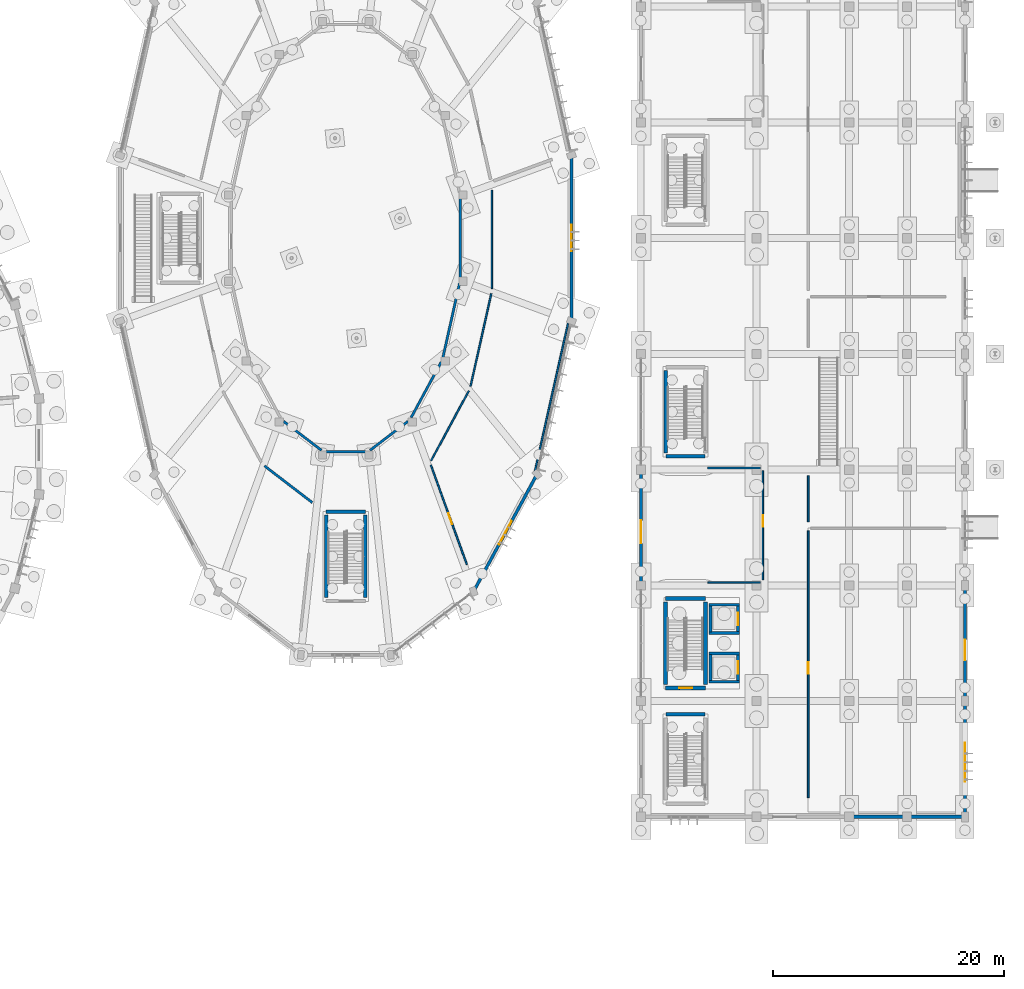
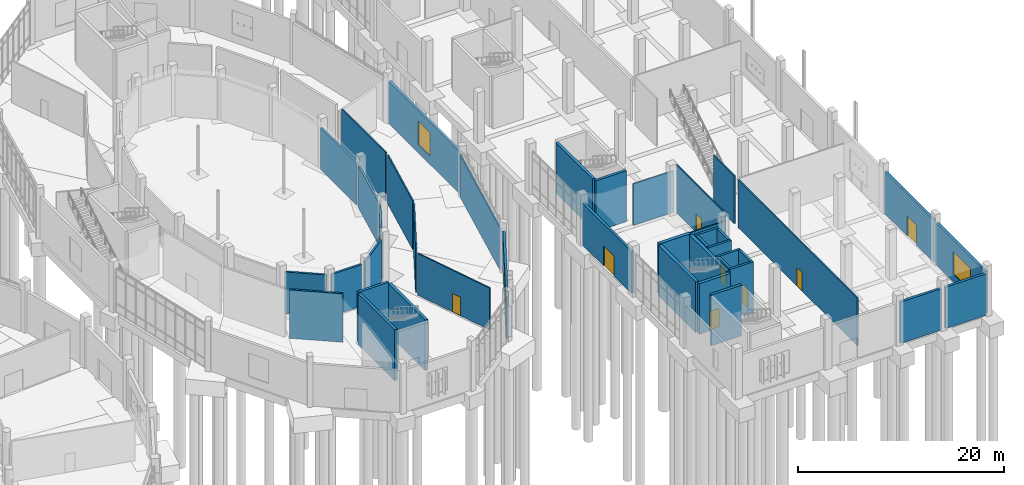
# One storey, part 88 of 140: 42 walls, 8 doors, 3 windows, 11 openings.
"""IFC4 building model written with IfcOpenShell, lengths in metres."""

import ifcopenshell
import ifcopenshell.guid

model = None  # the IFC model being written
_history = None  # IfcOwnerHistory: only IFC2X3 demands one
_inside = {}  # id of a spatial element -> (the spatial element, [elements in it])
_under = {}  # id of a project, library or spatial element -> (it, [spatial elements below it])
_declared = {}  # id of a project -> (the project, [libraries it declares])
_typed = {}  # id of a type object -> (the type object, [elements of that type])
_made_of = {}  # id of a material, layer set ... -> (it, [elements and type objects made of it])


def new_model(schema):
    """Start an empty IFC model of exactly this schema.

    Asked for "IFC4X3", IfcOpenShell would pick the latest addendum, in which some entities
    have other attributes; the version numbers below select the first issue.
    IFC2X3 requires an IfcOwnerHistory on every rooted entity: one is made here for all.
    """
    global model, _history
    if schema == "IFC4X3":
        model = ifcopenshell.file(schema_version=(4, 3, 0, 0))
    else:
        model = ifcopenshell.file(schema=schema)
    _inside.clear()
    _under.clear()
    _declared.clear()
    _typed.clear()
    _made_of.clear()
    _history = None
    if model.schema == "IFC2X3":
        org = make("IfcOrganization", Name="unknown")
        user = make(
            "IfcPersonAndOrganization",
            ThePerson=make("IfcPerson", FamilyName="unknown"),
            TheOrganization=org,
        )
        app = make(
            "IfcApplication",
            ApplicationDeveloper=org,
            Version="unknown",
            ApplicationFullName="unknown",
            ApplicationIdentifier="unknown",
        )
        _history = make(
            "IfcOwnerHistory",
            OwningUser=user,
            OwningApplication=app,
            ChangeAction="ADDED",
            CreationDate=0,
        )
    return model


def make(cls, **values):
    """One entity of the class cls with the attributes given. An attribute that is None is left unset."""
    return model.create_entity(
        cls, **{name: value for name, value in values.items() if value is not None}
    )


def rooted(cls, **values):
    """An entity with a GlobalId (a new one), such as an element, a storey or a relation."""
    return make(cls, GlobalId=ifcopenshell.guid.new(), OwnerHistory=_history, **values)


def si_unit(unit_type, name, prefix=None):
    """IfcSIUnit, for example si_unit("LENGTHUNIT", "METRE", prefix="MILLI")."""
    return make("IfcSIUnit", UnitType=unit_type, Prefix=prefix, Name=name)


def assignment(units):
    """IfcUnitAssignment: the units of a project."""
    return None if units is None else make("IfcUnitAssignment", Units=units)


def point(xyz):
    """IfcCartesianPoint."""
    return None if xyz is None else make("IfcCartesianPoint", Coordinates=xyz)


def direction(xyz):
    """IfcDirection."""
    return None if xyz is None else make("IfcDirection", DirectionRatios=xyz)


def frame(location, z_axis=None, x_axis=None):
    """IfcAxis2Placement3D, a coordinate frame: its origin and axes. An axis left out is left unset."""
    return make(
        "IfcAxis2Placement3D",
        Location=point(location),
        Axis=direction(z_axis),
        RefDirection=direction(x_axis),
    )


def frame_2d(location, x_axis=None):
    """IfcAxis2Placement2D, a coordinate frame in the plane: its origin and x axis."""
    return make(
        "IfcAxis2Placement2D", Location=point(location), RefDirection=direction(x_axis)
    )


def origin():
    """The frame at (0, 0, 0) with its axes left unset."""
    return frame((0.0, 0.0, 0.0))


def place(relative_to, where):
    """IfcLocalPlacement: puts the frame where relative to a parent placement (None: the world)."""
    return make(
        "IfcLocalPlacement", PlacementRelTo=relative_to, RelativePlacement=where
    )


def context(
    kind, dimensions, precision=None, world=None, true_north=None, identifier=None
):
    """IfcGeometricRepresentationContext, for example the 3D "Model" context."""
    return make(
        "IfcGeometricRepresentationContext",
        ContextIdentifier=identifier,
        ContextType=kind,
        CoordinateSpaceDimension=dimensions,
        Precision=precision,
        WorldCoordinateSystem=world,
        TrueNorth=true_north,
    )


def subcontext(parent, identifier, kind, view, scale=None):
    """IfcGeometricRepresentationSubContext, for example "Body" below "Model"."""
    return make(
        "IfcGeometricRepresentationSubContext",
        ContextIdentifier=identifier,
        ContextType=kind,
        ParentContext=parent,
        TargetScale=scale,
        TargetView=view,
    )


def project(units=None, contexts=None):
    """IfcProject with its units and contexts."""
    return rooted(
        "IfcProject",
        Name="project",
        RepresentationContexts=contexts,
        UnitsInContext=assignment(units),
    )


def spatial(cls, under=None, at=None, **own):
    """A site, building, storey or space (cls), placed at a placement, below another one or the project."""
    s = rooted(cls, ObjectPlacement=at, **own)
    if under is not None:
        _under.setdefault(under.id(), (under, []))[1].append(s)
    return s


def profile(cls, at=None, kind="AREA", **sizes):
    """A parametric profile (cls). Its sizes go by their IFC names, for example OverallWidth=200.0."""
    return make(cls, ProfileType=kind, Position=at, **sizes)


def rectangle(**sizes):
    """IfcRectangleProfileDef."""
    return profile("IfcRectangleProfileDef", **sizes)


def extrude(swept, where, along, depth):
    """IfcExtrudedAreaSolid: the profile swept, set in the frame where, extruded along a direction by depth."""
    return make(
        "IfcExtrudedAreaSolid",
        SweptArea=swept,
        Position=where,
        ExtrudedDirection=direction(along),
        Depth=depth,
    )


def shape(context_of_items, identifier, shape_type, items):
    """IfcShapeRepresentation: the items that make up one representation, for example the "Body"."""
    return make(
        "IfcShapeRepresentation",
        ContextOfItems=context_of_items,
        RepresentationIdentifier=identifier,
        RepresentationType=shape_type,
        Items=items,
    )


def material(Name=None, Category=None):
    """IfcMaterial."""
    return make("IfcMaterial", Name=Name, Category=Category)


def layer(
    of_material, thickness, ventilated=None, Name=None, Category=None, Priority=None
):
    """IfcMaterialLayer: one layer of a wall or slab, of a material (None: an air gap)."""
    return make(
        "IfcMaterialLayer",
        Material=of_material,
        LayerThickness=thickness,
        IsVentilated=ventilated,
        Name=Name,
        Category=Category,
        Priority=Priority,
    )


def layer_set(layers, Name=None):
    """IfcMaterialLayerSet."""
    return make("IfcMaterialLayerSet", MaterialLayers=layers, LayerSetName=Name)


def made_of(thing, what):
    """Note that an element or type object is made of a material, layer set ...; save() writes the relation."""
    if what is not None:
        _made_of.setdefault(what.id(), (what, []))[1].append(thing)
    return thing


def type_object(cls, material=None, **own):
    """A type object (cls), such as IfcWallType, which elements share."""
    return made_of(rooted(cls, **own), material)


def element(
    cls,
    number,
    at=None,
    inside=None,
    cuts=None,
    type_object=None,
    material=None,
    context=None,
    identifier="Body",
    shape_type=None,
    held_by="IfcProductDefinitionShape",
    body=None,
    shapes=None,
    **own,
):
    """One element of the class cls, such as IfcWall. Its Tag is "e" and its number.

    at: its placement. inside: the storey or other place that contains it. cuts: it is an
    opening in that element (IfcRelVoidsElement). A single representation is given by context,
    identifier, shape_type and body (its items); several are given by shapes. held_by: the class
    of the entity that holds the representations. save() writes the other relations.
    """
    e = rooted(cls, Tag="e%d" % number, ObjectPlacement=at, **own)
    if body is not None:
        shapes = [shape(context, identifier, shape_type, body)]
    if shapes is not None:
        e.Representation = make(held_by, Representations=shapes)
    if inside is not None:
        _inside.setdefault(inside.id(), (inside, []))[1].append(e)
    if cuts is not None:
        rooted(
            "IfcRelVoidsElement", RelatingBuildingElement=cuts, RelatedOpeningElement=e
        )
    if type_object is not None:
        _typed.setdefault(type_object.id(), (type_object, []))[1].append(e)
    return made_of(e, material)


def fill(opening, filler):
    """IfcRelFillsElement: the door or window that sits in an opening."""
    return rooted(
        "IfcRelFillsElement",
        RelatingOpeningElement=opening,
        RelatedBuildingElement=filler,
    )


def aggregate(whole, parts):
    """IfcRelAggregates: a whole, such as a stair, and the parts it consists of."""
    return rooted("IfcRelAggregates", RelatingObject=whole, RelatedObjects=parts)


def save(model, path):
    """Write the relations noted so far, then the file.

    IfcRelAggregates (storeys below a building ...), IfcRelContainedInSpatialStructure (elements
    in a storey), IfcRelDefinesByType, IfcRelAssociatesMaterial and IfcRelDeclares: one each for
    every whole, place, type object, material and project.
    """
    for whole, parts in _under.values():
        aggregate(whole, parts)
    for where, things in _inside.values():
        rooted(
            "IfcRelContainedInSpatialStructure",
            RelatedElements=things,
            RelatingStructure=where,
        )
    for kind, things in _typed.values():
        rooted("IfcRelDefinesByType", RelatedObjects=things, RelatingType=kind)
    for what, things in _made_of.values():
        rooted("IfcRelAssociatesMaterial", RelatedObjects=things, RelatingMaterial=what)
    for by, libraries in _declared.values():
        rooted("IfcRelDeclares", RelatingContext=by, RelatedDefinitions=libraries)
    model.write(path)


model = new_model("IFC4")

# Units and contexts
model_context = context("Model", 3, precision=1e-05, world=origin(), true_north=direction((0.0, 1.0)))
body_context = subcontext(model_context, "Body", "Model", "MODEL_VIEW")
ifc_project = project(units=[si_unit("LENGTHUNIT", "METRE"), si_unit("AREAUNIT", "SQUARE_METRE"), si_unit("VOLUMEUNIT", "CUBIC_METRE"), si_unit("PLANEANGLEUNIT", "RADIAN"), si_unit("MASSUNIT", "GRAM", prefix="KILO")], contexts=[model_context])

# Site, building, storey
site_placement = place(None, origin())
site = spatial("IfcSite", under=ifc_project, at=site_placement, CompositionType="ELEMENT")
building_placement = place(site_placement, origin())
building = spatial("IfcBuilding", under=site, at=building_placement, Name="Corvandel Quay Wholesale Market", CompositionType="ELEMENT")
storey_placement = place(building_placement, origin())
storey = spatial("IfcBuildingStorey", under=building, at=storey_placement, Name="L00", CompositionType="ELEMENT", Elevation=0.0)

# Wall, opening, window
ifc_material_1 = material(Name="Buff-pigmented precast concrete C45/55", Category="concrete")
ifc_layer_1 = layer(ifc_material_1, 0.280029296875)
ifc_layer_set_1 = layer_set([ifc_layer_1], Name="Buff-pigmented precast concrete C45/55")
wall_type_1 = type_object("IfcWallType", Name="Colonnade Spandrel Precast Wall EW07 280", PredefinedType="SOLIDWALL", material=ifc_layer_set_1)
wall_1_placement = place(storey_placement, frame((248.0, 10.219970703125, 0.0), z_axis=(0.0, 0.0, 1.0), x_axis=(0.0, 1.0, 0.0)))
wall_1 = element("IfcWall", 1, at=wall_1_placement, inside=storey, type_object=wall_type_1, Name="Exterior Wall EW-0330", PredefinedType="SOLIDWALL", context=body_context, shape_type="SweptSolid", body=[
    extrude(rectangle(XDim=9.56005859375, YDim=0.280029296875, at=frame_2d((4.780029296875, 0.0))), origin(), (0.0, 0.0, 1.0), 4.9599609375),
])
opening_1_placement = place(wall_1_placement, frame((2.800048828125, 0.0, 0.89990234375)))
opening_1 = element("IfcOpeningElement", 2, at=opening_1_placement, cuts=wall_1, Name="Opening L00-W075", PredefinedType="OPENING", context=body_context, shape_type="SweptSolid", body=[
    extrude(rectangle(XDim=3.39990234375, YDim=2.699951171875, at=frame_2d((1.699951171875, 1.35009765625))), frame((0.0, 0.14990234375, 0.0), z_axis=(0.0, -1.0, 0.0), x_axis=(1.0, 0.0, 0.0)), (0.0, 0.0, 1.0), 0.300048828125),
])
ifc_material_2 = material(Name="Thermally broken bronze anodised aluminium and solar-control low-E double glazing", Category="aluminium")
window_type_1 = type_object("IfcWindowType", Name="Waterfront Cafe Picture Window WN17 3400x2700", PartitioningType="SINGLE_PANEL", PredefinedType="WINDOW", material=ifc_material_2)
window_1_placement = place(opening_1_placement, origin())
window_1 = element("IfcWindow", 3, at=window_1_placement, inside=storey, type_object=window_type_1, Name="Window L00-W075", OverallHeight=2.699951171875, OverallWidth=3.39990234375, PartitioningType="SINGLE_PANEL", PredefinedType="WINDOW", context=body_context, shape_type="SweptSolid", body=[
    extrude(rectangle(XDim=3.39990234375, YDim=2.699951171875, at=frame_2d((1.699951171875, 1.35009765625))), frame((0.0, 0.030029296875, 0.0), z_axis=(0.0, -1.0, 0.0), x_axis=(1.0, 0.0, 0.0)), (0.0, 0.0, 1.0), 0.06005859375),
])
fill(opening_1, window_1)

# Wall, opening, door
wall_2_placement = place(storey_placement, frame((248.0, 20.219970703125, 0.0), z_axis=(0.0, 0.0, 1.0), x_axis=(0.0, 1.0, 0.0)))
wall_2 = element("IfcWall", 4, at=wall_2_placement, inside=storey, type_object=wall_type_1, Name="Exterior Wall EW-0332", PredefinedType="SOLIDWALL", context=body_context, shape_type="SweptSolid", body=[
    extrude(rectangle(XDim=9.56005859375, YDim=0.280029296875, at=frame_2d((4.780029296875, 0.0))), origin(), (0.0, 0.0, 1.0), 4.9599609375),
])
opening_2_placement = place(wall_2_placement, frame((3.300048828125, 0.0, 0.0)))
opening_2 = element("IfcOpeningElement", 5, at=opening_2_placement, cuts=wall_2, Name="Opening L00-D050", PredefinedType="OPENING", context=body_context, shape_type="SweptSolid", body=[
    extrude(rectangle(XDim=1.800048828125, YDim=2.39990234375, at=frame_2d((0.89990234375, 1.199951171875))), frame((0.0, 0.14990234375, 0.0), z_axis=(0.0, -1.0, 0.0), x_axis=(1.0, 0.0, 0.0)), (0.0, 0.0, 1.0), 0.300048828125),
])
ifc_material_3 = material(Name="Bronze anodised aluminium and tempered glass", Category="aluminium")
door_type_1 = type_object("IfcDoorType", Name="Promenade Cafe Double Door ED03 1800x2400", OperationType="DOUBLE_DOOR_SINGLE_SWING", PredefinedType="DOOR", material=ifc_material_3)
door_1_placement = place(opening_2_placement, origin())
door_1 = element("IfcDoor", 6, at=door_1_placement, inside=storey, type_object=door_type_1, Name="Promenade Entrance 20", OperationType="DOUBLE_DOOR_SINGLE_SWING", OverallHeight=2.39990234375, OverallWidth=1.800048828125, PredefinedType="DOOR", context=body_context, shape_type="SweptSolid", body=[
    extrude(rectangle(XDim=1.800048828125, YDim=2.39990234375, at=frame_2d((0.89990234375, 1.199951171875))), frame((0.0, 0.02490234375, 0.0), z_axis=(0.0, -1.0, 0.0), x_axis=(1.0, 0.0, 0.0)), (0.0, 0.0, 1.0), 0.050048828125),
])
fill(opening_2, door_1)

wall_3_placement = place(storey_placement, frame((220.0, 30.219970703125, 0.0), z_axis=(0.0, 0.0, 1.0), x_axis=(0.0, 1.0, 0.0)))
wall_3 = element("IfcWall", 7, at=wall_3_placement, inside=storey, type_object=wall_type_1, Name="Exterior Wall EW-0334", PredefinedType="SOLIDWALL", context=body_context, shape_type="SweptSolid", body=[
    extrude(rectangle(XDim=9.56005859375, YDim=0.280029296875, at=frame_2d((4.780029296875, 0.0))), origin(), (0.0, 0.0, 1.0), 4.9599609375),
])
opening_3_placement = place(wall_3_placement, frame((3.39990234375, 0.0, 0.0)))
opening_3 = element("IfcOpeningElement", 8, at=opening_3_placement, cuts=wall_3, Name="Opening L00-D051", PredefinedType="OPENING", context=body_context, shape_type="SweptSolid", body=[
    extrude(rectangle(XDim=2.0, YDim=2.39990234375, at=frame_2d((1.0, 1.199951171875))), frame((0.0, 0.14990234375, 0.0), z_axis=(0.0, -1.0, 0.0), x_axis=(1.0, 0.0, 0.0)), (0.0, 0.0, 1.0), 0.300048828125),
])
ifc_material_4 = material(Name="Bronze anodised aluminium and laminated glass", Category="aluminium")
door_type_2 = type_object("IfcDoorType", Name="Concourse Double Exit Door ED02 2000x2400", OperationType="DOUBLE_DOOR_SINGLE_SWING", PredefinedType="DOOR", material=ifc_material_4)
door_2_placement = place(opening_3_placement, origin())
door_2 = element("IfcDoor", 9, at=door_2_placement, inside=storey, type_object=door_type_2, Name="Court Entrance V5-30", OperationType="DOUBLE_DOOR_SINGLE_SWING", OverallHeight=2.39990234375, OverallWidth=2.0, PredefinedType="DOOR", context=body_context, shape_type="SweptSolid", body=[
    extrude(rectangle(XDim=2.0, YDim=2.39990234375, at=frame_2d((1.0, 1.199951171875))), frame((0.0, 0.02490234375, 0.0), z_axis=(0.0, -1.0, 0.0), x_axis=(1.0, 0.0, 0.0)), (0.0, 0.0, 1.0), 0.050048828125),
])
fill(opening_3, door_2)

# Walls
for number, where, z_axis, x_axis, name in (
    (10, (238.219970703125, 10.0, 0.0), (0.0, 0.0, 1.0), (1.0, 0.0, 0.0), "Exterior Wall EW-0345"),
    (11, (243.219970703125, 10.0, 0.0), (0.0, 0.0, 1.0), (1.0, 0.0, 0.0), "Exterior Wall EW-0347"),
):
    element("IfcWall", number, at=place(storey_placement, frame(where, z_axis=z_axis, x_axis=x_axis)), inside=storey, type_object=wall_type_1, Name=name, PredefinedType="SOLIDWALL", context=body_context, shape_type="SweptSolid", body=[
        extrude(rectangle(XDim=4.56005859375, YDim=0.280029296875, at=frame_2d((2.280029296875, 0.0))), origin(), (0.0, 0.0, 1.0), 4.909912109375),
    ])

# Wall, opening, door
ifc_material_5 = material(Name="Concrete C40/50", Category="concrete")
ifc_layer_2 = layer(ifc_material_5, 0.35009765625)
ifc_layer_set_2 = layer_set([ifc_layer_2], Name="Concrete C40/50")
wall_type_2 = type_object("IfcWallType", Name="Core Shear Wall SW01 350", PredefinedType="SHEAR", material=ifc_layer_set_2)
wall_4_placement = place(storey_placement, frame((222.125, 21.125, 0.0), z_axis=(0.0, 0.0, 1.0), x_axis=(1.0, 0.0, 0.0)))
wall_4 = element("IfcWall", 12, at=wall_4_placement, inside=storey, type_object=wall_type_2, Name="Shear Wall IW-0161", PredefinedType="SHEAR", context=body_context, shape_type="SweptSolid", body=[
    extrude(rectangle(XDim=3.449951171875, YDim=0.35009765625, at=frame_2d((1.72509765625, 0.0))), origin(), (0.0, 0.0, 1.0), 6.0),
])
opening_4_placement = place(wall_4_placement, frame((1.199951171875, 0.0, 0.0)))
opening_4 = element("IfcOpeningElement", 13, at=opening_4_placement, cuts=wall_4, Name="Opening L00-D071", PredefinedType="OPENING", context=body_context, shape_type="SweptSolid", body=[
    extrude(rectangle(XDim=1.10009765625, YDim=2.199951171875, at=frame_2d((0.550048828125, 1.10009765625))), frame((0.0, 0.18505859375, 0.0), z_axis=(0.0, -1.0, 0.0), x_axis=(1.0, 0.0, 0.0)), (0.0, 0.0, 1.0), 0.3701171875),
])
ifc_material_6 = material(Name="Galvanised fire-rated hollow steel", Category="steel")
door_type_3 = type_object("IfcDoorType", Name="Exit Stair Fire Door ID01 1100x2200L", OperationType="SINGLE_SWING_LEFT", PredefinedType="DOOR", material=ifc_material_6)
door_3_placement = place(opening_4_placement, origin())
door_3 = element("IfcDoor", 14, at=door_3_placement, inside=storey, type_object=door_type_3, Name="Exit Stair Door SH16-L00", OperationType="SINGLE_SWING_LEFT", OverallHeight=2.199951171875, OverallWidth=1.10009765625, PredefinedType="DOOR", context=body_context, shape_type="SweptSolid", body=[
    extrude(rectangle(XDim=1.10009765625, YDim=2.199951171875, at=frame_2d((0.550048828125, 1.10009765625))), frame((0.0, 0.02490234375, 0.0), z_axis=(0.0, -1.0, 0.0), x_axis=(1.0, 0.0, 0.0)), (0.0, 0.0, 1.0), 0.050048828125),
])
fill(opening_4, door_3)

# Walls
wall_5_placement = place(storey_placement, frame((222.125, 28.875, 0.0), z_axis=(0.0, 0.0, 1.0), x_axis=(1.0, 0.0, 0.0)))
element("IfcWall", 15, at=wall_5_placement, inside=storey, type_object=wall_type_2, Name="Shear Wall IW-0162", PredefinedType="SHEAR", context=body_context, shape_type="SweptSolid", body=[
    extrude(rectangle(XDim=3.449951171875, YDim=0.35009765625, at=frame_2d((1.72509765625, 0.0))), origin(), (0.0, 0.0, 1.0), 6.0),
])
for number, where, z_axis, x_axis, name in (
    (16, (222.125, 21.43994140625, 0.0), (0.0, 0.0, 1.0), (0.0, 1.0, 0.0), "Shear Wall IW-0163"),
    (17, (225.574951171875, 21.43994140625, 0.0), (0.0, 0.0, 1.0), (0.0, 1.0, 0.0), "Shear Wall IW-0164"),
):
    element("IfcWall", number, at=place(storey_placement, frame(where, z_axis=z_axis, x_axis=x_axis)), inside=storey, type_object=wall_type_2, Name=name, PredefinedType="SHEAR", context=body_context, shape_type="SweptSolid", body=[
        extrude(rectangle(XDim=7.1201171875, YDim=0.35009765625, at=frame_2d((3.56005859375, 0.0))), origin(), (0.0, 0.0, 1.0), 6.0),
    ])
ifc_material_7 = material(Name="Gypsum-clad steel stud framing", Category="steel")
ifc_layer_3 = layer(ifc_material_7, 0.2099609375)
ifc_layer_set_3 = layer_set([ifc_layer_3], Name="Gypsum-clad steel stud framing")
wall_type_3 = type_object("IfcWallType", Name="Corridor Rated Partition PT02 210", PredefinedType="PARTITIONING", material=ifc_layer_set_3)
wall_6_placement = place(storey_placement, frame((204.331787109375, 56.09033203125, 0.0), z_axis=(0.0, 0.0, 1.0), x_axis=(-0.218983275202, -0.975728612464, 0.0)))
element("IfcWall", 18, at=wall_6_placement, inside=storey, type_object=wall_type_3, Name="Interior Wall IW-0674", PredefinedType="PARTITIONING", context=body_context, shape_type="SweptSolid", body=[
    extrude(rectangle(XDim=6.546630859375, YDim=0.2099609375, at=frame_2d((3.2734375, 0.0))), origin(), (0.0, 0.0, 1.0), 4.93994140625),
])
wall_7_placement = place(storey_placement, frame((202.7451171875, 49.29443359375, 0.0), z_axis=(0.0, 0.0, 1.0), x_axis=(-0.476219723691, -0.879326318705, 0.0)))
element("IfcWall", 19, at=wall_7_placement, inside=storey, type_object=wall_type_3, Name="Interior Wall IW-0675", PredefinedType="PARTITIONING", context=body_context, shape_type="SweptSolid", body=[
    extrude(rectangle(XDim=5.456298828125, YDim=0.2099609375, at=frame_2d((2.72802734375, 0.0))), origin(), (0.0, 0.0, 1.0), 4.93994140625),
])
wall_8_placement = place(storey_placement, frame((199.8671875, 44.16943359375, 0.0), z_axis=(0.0, 0.0, 1.0), x_axis=(-0.794324097456, -0.607494220714, 0.0)))
element("IfcWall", 20, at=wall_8_placement, inside=storey, type_object=wall_type_3, Name="Interior Wall IW-0676", PredefinedType="PARTITIONING", context=body_context, shape_type="SweptSolid", body=[
    extrude(rectangle(XDim=4.1083984375, YDim=0.2099609375, at=frame_2d((2.05419921875, 0.0))), origin(), (0.0, 0.0, 1.0), 4.93994140625),
])
wall_9_placement = place(storey_placement, frame((196.208984375, 41.5400390625, 0.0), z_axis=(0.0, 0.0, 1.0), x_axis=(-1.0, 0.0, 0.0)))
element("IfcWall", 21, at=wall_9_placement, inside=storey, type_object=wall_type_3, Name="Interior Wall IW-0677", PredefinedType="PARTITIONING", context=body_context, shape_type="SweptSolid", body=[
    extrude(rectangle(XDim=3.41796875, YDim=0.2099609375, at=frame_2d((1.708984375, 0.0))), origin(), (0.0, 0.0, 1.0), 4.93994140625),
])
wall_10_placement = place(storey_placement, frame((192.396240234375, 41.673583984375, 0.0), z_axis=(0.0, 0.0, 1.0), x_axis=(-0.794324097456, 0.607494220714, 0.0)))
element("IfcWall", 22, at=wall_10_placement, inside=storey, type_object=wall_type_3, Name="Interior Wall IW-0678", PredefinedType="PARTITIONING", context=body_context, shape_type="SweptSolid", body=[
    extrude(rectangle(XDim=4.1083984375, YDim=0.2099609375, at=frame_2d((2.05419921875, 0.0))), origin(), (0.0, 0.0, 1.0), 4.93994140625),
])
wall_11_placement = place(storey_placement, frame((204.3798828125, 63.47509765625, 0.0), z_axis=(0.0, 0.0, 1.0), x_axis=(0.0, -1.0, 0.0)))
element("IfcWall", 23, at=wall_11_placement, inside=storey, type_object=wall_type_3, Name="Interior Wall IW-0689", PredefinedType="PARTITIONING", context=body_context, shape_type="SweptSolid", body=[
    extrude(rectangle(XDim=6.9501953125, YDim=0.2099609375, at=frame_2d((3.47509765625, 0.0))), origin(), (0.0, 0.0, 1.0), 4.93994140625),
])
wall_12_placement = place(storey_placement, frame((187.4736328125, 40.3271484375, 0.0), z_axis=(0.0, 0.0, 1.0), x_axis=(0.793657647785, -0.608364642392, 0.0)))
element("IfcWall", 24, at=wall_12_placement, inside=storey, type_object=wall_type_3, Name="Interior Wall IW-0704", PredefinedType="PARTITIONING", context=body_context, shape_type="SweptSolid", body=[
    extrude(rectangle(XDim=5.209716796875, YDim=0.2099609375, at=frame_2d((2.60498046875, 0.0))), origin(), (0.0, 0.0, 1.0), 5.739990234375),
])
ifc_layer_4 = layer(ifc_material_5, 0.25)
ifc_layer_set_4 = layer_set([ifc_layer_4], Name="Concrete C40/50")
wall_type_4 = type_object("IfcWallType", Name="Lift Shaft Shear Wall SW03 250", PredefinedType="SHEAR", material=ifc_layer_set_4)
for number, where, z_axis, x_axis, name in (
    (25, (225.89990234375, 21.675048828125, 0.0), (0.0, 0.0, 1.0), (1.0, 0.0, 0.0), "Shear Wall IW-0321"),
    (26, (225.89990234375, 24.125, 0.0), (0.0, 0.0, 1.0), (1.0, 0.0, 0.0), "Shear Wall IW-0322"),
):
    element("IfcWall", number, at=place(storey_placement, frame(where, z_axis=z_axis, x_axis=x_axis)), inside=storey, type_object=wall_type_4, Name=name, PredefinedType="SHEAR", context=body_context, shape_type="SweptSolid", body=[
        extrude(rectangle(XDim=2.60009765625, YDim=0.25, at=frame_2d((1.300048828125, 0.0))), origin(), (0.0, 0.0, 1.0), 6.0),
    ])
wall_13_placement = place(storey_placement, frame((226.02490234375, 21.7900390625, 0.0), z_axis=(0.0, 0.0, 1.0), x_axis=(0.0, 1.0, 0.0)))
element("IfcWall", 27, at=wall_13_placement, inside=storey, type_object=wall_type_4, Name="Shear Wall IW-0323", PredefinedType="SHEAR", context=body_context, shape_type="SweptSolid", body=[
    extrude(rectangle(XDim=2.219970703125, YDim=0.25, at=frame_2d((1.10986328125, 0.0))), origin(), (0.0, 0.0, 1.0), 6.0),
])

# Wall, opening, door
wall_14_placement = place(storey_placement, frame((228.375, 21.7900390625, 0.0), z_axis=(0.0, 0.0, 1.0), x_axis=(0.0, 1.0, 0.0)))
wall_14 = element("IfcWall", 28, at=wall_14_placement, inside=storey, type_object=wall_type_4, Name="Shear Wall IW-0324", PredefinedType="SHEAR", context=body_context, shape_type="SweptSolid", body=[
    extrude(rectangle(XDim=2.219970703125, YDim=0.25, at=frame_2d((1.10986328125, 0.0))), origin(), (0.0, 0.0, 1.0), 6.0),
])
opening_5_placement = place(wall_14_placement, frame((0.56005859375, 0.0, 0.0)))
opening_5 = element("IfcOpeningElement", 29, at=opening_5_placement, cuts=wall_14, Name="Opening LD-L00-083", PredefinedType="OPENING", context=body_context, shape_type="SweptSolid", body=[
    extrude(rectangle(XDim=1.10009765625, YDim=2.199951171875, at=frame_2d((0.550048828125, 1.10009765625))), frame((0.0, 0.135009765625, 0.0), z_axis=(0.0, -1.0, 0.0), x_axis=(1.0, 0.0, 0.0)), (0.0, 0.0, 1.0), 0.27001953125),
])
ifc_material_8 = material(Name="Brushed stainless steel", Category="steel")
door_type_4 = type_object("IfcDoorType", Name="Passenger Lift Landing Door LD01 1100x2200", OperationType="DOUBLE_DOOR_SLIDING", PredefinedType="DOOR", material=ifc_material_8)
door_4_placement = place(opening_5_placement, origin())
door_4 = element("IfcDoor", 30, at=door_4_placement, inside=storey, type_object=door_type_4, Name="Lift Landing Door LF-V5P1-L00", OperationType="DOUBLE_DOOR_SLIDING", OverallHeight=2.199951171875, OverallWidth=1.10009765625, PredefinedType="DOOR", context=body_context, shape_type="SweptSolid", body=[
    extrude(rectangle(XDim=1.10009765625, YDim=2.199951171875, at=frame_2d((0.550048828125, 1.10009765625))), frame((0.0, 0.02490234375, 0.0), z_axis=(0.0, -1.0, 0.0), x_axis=(1.0, 0.0, 0.0)), (0.0, 0.0, 1.0), 0.050048828125),
])
fill(opening_5, door_4)

# Walls
for number, where, z_axis, x_axis, name in (
    (31, (225.89990234375, 25.875, 0.0), (0.0, 0.0, 1.0), (1.0, 0.0, 0.0), "Shear Wall IW-0337"),
    (32, (225.89990234375, 28.324951171875, 0.0), (0.0, 0.0, 1.0), (1.0, 0.0, 0.0), "Shear Wall IW-0338"),
):
    element("IfcWall", number, at=place(storey_placement, frame(where, z_axis=z_axis, x_axis=x_axis)), inside=storey, type_object=wall_type_4, Name=name, PredefinedType="SHEAR", context=body_context, shape_type="SweptSolid", body=[
        extrude(rectangle(XDim=2.60009765625, YDim=0.25, at=frame_2d((1.300048828125, 0.0))), origin(), (0.0, 0.0, 1.0), 6.0),
    ])
wall_15_placement = place(storey_placement, frame((226.02490234375, 25.989990234375, 0.0), z_axis=(0.0, 0.0, 1.0), x_axis=(0.0, 1.0, 0.0)))
element("IfcWall", 33, at=wall_15_placement, inside=storey, type_object=wall_type_4, Name="Shear Wall IW-0339", PredefinedType="SHEAR", context=body_context, shape_type="SweptSolid", body=[
    extrude(rectangle(XDim=2.219970703125, YDim=0.25, at=frame_2d((1.10986328125, 0.0))), origin(), (0.0, 0.0, 1.0), 6.0),
])

# Wall, opening, door
wall_16_placement = place(storey_placement, frame((228.375, 25.989990234375, 0.0), z_axis=(0.0, 0.0, 1.0), x_axis=(0.0, 1.0, 0.0)))
wall_16 = element("IfcWall", 34, at=wall_16_placement, inside=storey, type_object=wall_type_4, Name="Shear Wall IW-0340", PredefinedType="SHEAR", context=body_context, shape_type="SweptSolid", body=[
    extrude(rectangle(XDim=2.219970703125, YDim=0.25, at=frame_2d((1.10986328125, 0.0))), origin(), (0.0, 0.0, 1.0), 6.0),
])
opening_6_placement = place(wall_16_placement, frame((0.56005859375, 0.0, 0.0)))
opening_6 = element("IfcOpeningElement", 35, at=opening_6_placement, cuts=wall_16, Name="Opening LD-L00-084", PredefinedType="OPENING", context=body_context, shape_type="SweptSolid", body=[
    extrude(rectangle(XDim=1.10009765625, YDim=2.199951171875, at=frame_2d((0.550048828125, 1.10009765625))), frame((0.0, 0.135009765625, 0.0), z_axis=(0.0, -1.0, 0.0), x_axis=(1.0, 0.0, 0.0)), (0.0, 0.0, 1.0), 0.27001953125),
])
door_5_placement = place(opening_6_placement, origin())
door_5 = element("IfcDoor", 36, at=door_5_placement, inside=storey, type_object=door_type_4, Name="Lift Landing Door LF-V5P2-L00", OperationType="DOUBLE_DOOR_SLIDING", OverallHeight=2.199951171875, OverallWidth=1.10009765625, PredefinedType="DOOR", context=body_context, shape_type="SweptSolid", body=[
    extrude(rectangle(XDim=1.10009765625, YDim=2.199951171875, at=frame_2d((0.550048828125, 1.10009765625))), frame((0.0, 0.02490234375, 0.0), z_axis=(0.0, -1.0, 0.0), x_axis=(1.0, 0.0, 0.0)), (0.0, 0.0, 1.0), 0.050048828125),
])
fill(opening_6, door_5)

# Walls
ifc_material_9 = material(Name="Double-layer acoustic gypsum stud partition")
ifc_layer_5 = layer(ifc_material_9, 0.139892578125)
ifc_layer_set_5 = layer_set([ifc_layer_5], Name="Double-layer acoustic gypsum stud partition")
wall_type_5 = type_object("IfcWallType", Name="Office Acoustic Partition PT07 140", PredefinedType="PARTITIONING", material=ifc_layer_set_5)
wall_17_placement = place(storey_placement, frame((201.883544921875, 40.78857421875, 0.0), z_axis=(0.0, 0.0, 1.0), x_axis=(0.475233013438, 0.879859979166, 0.0)))
element("IfcWall", 37, at=wall_17_placement, inside=storey, type_object=wall_type_5, Name="Interior Wall IW-0706", PredefinedType="PARTITIONING", context=body_context, shape_type="SweptSolid", body=[
    extrude(rectangle(XDim=6.83251953125, YDim=0.139892578125, at=frame_2d((3.416259765625, 0.0))), origin(), (0.0, 0.0, 1.0), 5.739990234375),
])
wall_18_placement = place(storey_placement, frame((205.283203125, 47.208740234375, 0.0), z_axis=(0.0, 0.0, 1.0), x_axis=(0.218660154737, 0.975801074364, 0.0)))
element("IfcWall", 38, at=wall_18_placement, inside=storey, type_object=wall_type_5, Name="Interior Wall IW-0707", PredefinedType="PARTITIONING", context=body_context, shape_type="SweptSolid", body=[
    extrude(rectangle(XDim=8.203125, YDim=0.139892578125, at=frame_2d((4.1015625, 0.0))), origin(), (0.0, 0.0, 1.0), 5.739990234375),
])
wall_19_placement = place(storey_placement, frame((207.125, 55.64794921875, 0.0), z_axis=(0.0, 0.0, 1.0), x_axis=(0.000114715076, 0.99999999342, 0.0)))
element("IfcWall", 39, at=wall_19_placement, inside=storey, type_object=wall_type_5, Name="Interior Wall IW-0708", PredefinedType="PARTITIONING", context=body_context, shape_type="SweptSolid", body=[
    extrude(rectangle(XDim=8.512939453125, YDim=0.139892578125, at=frame_2d((4.25634765625, 0.0))), origin(), (0.0, 0.0, 1.0), 5.739990234375),
])
wall_20_placement = place(storey_placement, frame((213.7119140625, 52.6513671875, 0.0), z_axis=(0.0, 0.0, 1.0), x_axis=(-0.218950813535, -0.975735897286, 0.0)))
element("IfcWall", 40, at=wall_20_placement, inside=storey, type_object=wall_type_5, Name="Interior Wall IW-0709", PredefinedType="PARTITIONING", context=body_context, shape_type="SweptSolid", body=[
    extrude(rectangle(XDim=13.060546875, YDim=0.139892578125, at=frame_2d((6.5302734375, 0.0))), origin(), (0.0, 0.0, 1.0), 4.989990234375),
])

# Wall, opening, door
wall_21_placement = place(storey_placement, frame((204.9638671875, 31.7958984375, 0.0), z_axis=(0.0, 0.0, 1.0), x_axis=(-0.340331120572, 0.940305656885, 0.0)))
wall_21 = element("IfcWall", 41, at=wall_21_placement, inside=storey, type_object=wall_type_5, Name="Interior Wall IW-0710", PredefinedType="PARTITIONING", context=body_context, shape_type="SweptSolid", body=[
    extrude(rectangle(XDim=9.1376953125, YDim=0.139892578125, at=frame_2d((4.56884765625, 0.0))), origin(), (0.0, 0.0, 1.0), 4.93994140625),
])
opening_7_placement = place(wall_21_placement, frame((3.718994140625, 0.0, 0.0)))
opening_7 = element("IfcOpeningElement", 42, at=opening_7_placement, cuts=wall_21, Name="Opening L00-D109", PredefinedType="OPENING", context=body_context, shape_type="SweptSolid", body=[
    extrude(rectangle(XDim=1.0, YDim=2.199951171875, at=frame_2d((0.5, 1.10009765625))), frame((0.0, 0.079833984375, 0.0), z_axis=(0.0, -1.0, 0.0), x_axis=(1.0, 0.0, 0.0)), (0.0, 0.0, 1.0), 0.159912109375),
])
ifc_material_10 = material(Name="Stained oak solid-core acoustic timber", Category="wood")
door_type_5 = type_object("IfcDoorType", Name="Office Entry Door ID09 1000x2200L", OperationType="SINGLE_SWING_LEFT", PredefinedType="DOOR", material=ifc_material_10)
door_6_placement = place(opening_7_placement, origin())
door_6 = element("IfcDoor", 43, at=door_6_placement, inside=storey, type_object=door_type_5, Name="Buyers Registration and Clearing Office Door", OperationType="SINGLE_SWING_LEFT", OverallHeight=2.199951171875, OverallWidth=1.0, PredefinedType="DOOR", context=body_context, shape_type="SweptSolid", body=[
    extrude(rectangle(XDim=1.0, YDim=2.199951171875, at=frame_2d((0.5, 1.10009765625))), frame((0.0, 0.02490234375, 0.0), z_axis=(0.0, -1.0, 0.0), x_axis=(1.0, 0.0, 0.0)), (0.0, 0.0, 1.0), 0.050048828125),
])
fill(opening_7, door_6)

wall_22_placement = place(storey_placement, frame((234.4599609375, 11.669921875, 0.0), z_axis=(0.0, 0.0, 1.0), x_axis=(0.0, 1.0, 0.0)))
wall_22 = element("IfcWall", 44, at=wall_22_placement, inside=storey, type_object=wall_type_5, Name="Interior Wall IW-0851", PredefinedType="PARTITIONING", context=body_context, shape_type="SweptSolid", body=[
    extrude(rectangle(XDim=23.050048828125, YDim=0.139892578125, at=frame_2d((11.52490234375, 0.0))), origin(), (0.0, 0.0, 1.0), 5.659912109375),
])
opening_8_placement = place(wall_22_placement, frame((10.675048828125, 0.0, 0.0)))
opening_8 = element("IfcOpeningElement", 45, at=opening_8_placement, cuts=wall_22, Name="Opening L00-D122", PredefinedType="OPENING", context=body_context, shape_type="SweptSolid", body=[
    extrude(rectangle(XDim=1.0, YDim=2.199951171875, at=frame_2d((0.5, 1.10009765625))), frame((0.0, 0.079833984375, 0.0), z_axis=(0.0, -1.0, 0.0), x_axis=(1.0, 0.0, 0.0)), (0.0, 0.0, 1.0), 0.159912109375),
])
door_type_6 = type_object("IfcDoorType", Name="Office Entry Door ID10 1000x2200R", OperationType="SINGLE_SWING_RIGHT", PredefinedType="DOOR", material=ifc_material_10)
door_7_placement = place(opening_8_placement, origin())
door_7 = element("IfcDoor", 46, at=door_7_placement, inside=storey, type_object=door_type_6, Name="Harbourfront Public Cafe Door", OperationType="SINGLE_SWING_RIGHT", OverallHeight=2.199951171875, OverallWidth=1.0, PredefinedType="DOOR", context=body_context, shape_type="SweptSolid", body=[
    extrude(rectangle(XDim=1.0, YDim=2.199951171875, at=frame_2d((0.5, 1.10009765625))), frame((0.0, 0.02490234375, 0.0), z_axis=(0.0, -1.0, 0.0), x_axis=(1.0, 0.0, 0.0)), (0.0, 0.0, 1.0), 0.050048828125),
])
fill(opening_8, door_7)

# Walls
wall_23_placement = place(storey_placement, frame((234.4599609375, 35.47998046875, 0.0), z_axis=(0.0, 0.0, 1.0), x_axis=(0.0, 1.0, 0.0)))
element("IfcWall", 47, at=wall_23_placement, inside=storey, type_object=wall_type_5, Name="Interior Wall IW-0853", PredefinedType="PARTITIONING", context=body_context, shape_type="SweptSolid", body=[
    extrude(rectangle(XDim=3.99365234375, YDim=0.139892578125, at=frame_2d((1.996826171875, 0.0))), origin(), (0.0, 0.0, 1.0), 5.659912109375),
])
wall_24_placement = place(storey_placement, frame((225.77001953125, 40.139892578125, 0.0), z_axis=(0.0, 0.0, 1.0), x_axis=(1.0, 0.0, 0.0)))
element("IfcWall", 48, at=wall_24_placement, inside=storey, type_object=wall_type_5, Name="Interior Wall IW-0865", PredefinedType="PARTITIONING", context=body_context, shape_type="SweptSolid", body=[
    extrude(rectangle(XDim=4.550048828125, YDim=0.139892578125, at=frame_2d((2.27490234375, 0.0))), origin(), (0.0, 0.0, 1.0), 4.909912109375),
])

# Wall, opening, door
wall_25_placement = place(storey_placement, frame((230.5400390625, 39.919921875, 0.0), z_axis=(0.0, 0.0, 1.0), x_axis=(0.0, -1.0, 0.0)))
wall_25 = element("IfcWall", 49, at=wall_25_placement, inside=storey, type_object=wall_type_5, Name="Interior Wall IW-0866", PredefinedType="PARTITIONING", context=body_context, shape_type="SweptSolid", body=[
    extrude(rectangle(XDim=9.43994140625, YDim=0.139892578125, at=frame_2d((4.719970703125, 0.0))), origin(), (0.0, 0.0, 1.0), 5.659912109375),
])
opening_9_placement = place(wall_25_placement, frame((3.8701171875, 0.0, 0.0)))
opening_9 = element("IfcOpeningElement", 50, at=opening_9_placement, cuts=wall_25, Name="Opening L00-D127", PredefinedType="OPENING", context=body_context, shape_type="SweptSolid", body=[
    extrude(rectangle(XDim=1.0, YDim=2.199951171875, at=frame_2d((0.5, 1.10009765625))), frame((0.0, 0.079833984375, 0.0), z_axis=(0.0, -1.0, 0.0), x_axis=(1.0, 0.0, 0.0)), (0.0, 0.0, 1.0), 0.159912109375),
])
door_8_placement = place(opening_9_placement, origin())
door_8 = element("IfcDoor", 51, at=door_8_placement, inside=storey, type_object=door_type_6, Name="Cycle Repair and Security Office Door", OperationType="SINGLE_SWING_RIGHT", OverallHeight=2.199951171875, OverallWidth=1.0, PredefinedType="DOOR", context=body_context, shape_type="SweptSolid", body=[
    extrude(rectangle(XDim=1.0, YDim=2.199951171875, at=frame_2d((0.5, 1.10009765625))), frame((0.0, 0.02490234375, 0.0), z_axis=(0.0, -1.0, 0.0), x_axis=(1.0, 0.0, 0.0)), (0.0, 0.0, 1.0), 0.050048828125),
])
fill(opening_9, door_8)

# Wall
wall_26_placement = place(storey_placement, frame((230.320068359375, 30.260009765625, 0.0), z_axis=(0.0, 0.0, 1.0), x_axis=(-1.0, 0.0, 0.0)))
element("IfcWall", 52, at=wall_26_placement, inside=storey, type_object=wall_type_5, Name="Interior Wall IW-0867", PredefinedType="PARTITIONING", context=body_context, shape_type="SweptSolid", body=[
    extrude(rectangle(XDim=4.525146484375, YDim=0.139892578125, at=frame_2d((2.2626953125, 0.0))), origin(), (0.0, 0.0, 1.0), 4.909912109375),
])

# Wall, opening, window
ifc_material_11 = material(Name="Terracotta precast concrete C45/55", Category="masonry")
ifc_layer_6 = layer(ifc_material_11, 0.260009765625)
ifc_layer_set_6 = layer_set([ifc_layer_6], Name="Terracotta precast concrete C45/55")
wall_type_6 = type_object("IfcWallType", Name="Pavilion Pilaster Infill Wall EW08 260", PredefinedType="SOLIDWALL", material=ifc_layer_set_6)
wall_27_placement = place(storey_placement, frame((205.65087890625, 29.67431640625, 0.0), z_axis=(0.0, 0.0, 1.0), x_axis=(0.476243387046, 0.87931350285, 0.0)))
wall_27 = element("IfcWall", 53, at=wall_27_placement, inside=storey, type_object=wall_type_6, Name="Exterior Wall EW-0190", PredefinedType="SOLIDWALL", context=body_context, shape_type="SweptSolid", body=[
    extrude(rectangle(XDim=11.0771484375, YDim=0.260009765625, at=frame_2d((5.53857421875, 0.0))), origin(), (0.0, 0.0, 1.0), 4.989990234375),
])
opening_10_placement = place(wall_27_placement, frame((4.388916015625, 0.0, 0.949951171875)))
opening_10 = element("IfcOpeningElement", 54, at=opening_10_placement, cuts=wall_27, Name="Opening L00-W073", PredefinedType="OPENING", context=body_context, shape_type="SweptSolid", body=[
    extrude(rectangle(XDim=2.300048828125, YDim=2.800048828125, at=frame_2d((1.14990234375, 1.39990234375))), frame((0.0, 0.139892578125, 0.0), z_axis=(0.0, -1.0, 0.0), x_axis=(1.0, 0.0, 0.0)), (0.0, 0.0, 1.0), 0.280029296875),
])
window_type_2 = type_object("IfcWindowType", Name="Auction Hall Tall Facet Window WN11 2300x2800", PartitioningType="SINGLE_PANEL", PredefinedType="WINDOW", material=ifc_material_2)
window_2_placement = place(opening_10_placement, origin())
window_2 = element("IfcWindow", 55, at=window_2_placement, inside=storey, type_object=window_type_2, Name="Window L00-W073", OverallHeight=2.800048828125, OverallWidth=2.300048828125, PartitioningType="SINGLE_PANEL", PredefinedType="WINDOW", context=body_context, shape_type="SweptSolid", body=[
    extrude(rectangle(XDim=2.300048828125, YDim=2.800048828125, at=frame_2d((1.14990234375, 1.39990234375))), frame((0.0, 0.030029296875, 0.0), z_axis=(0.0, -1.0, 0.0), x_axis=(1.0, 0.0, 0.0)), (0.0, 0.0, 1.0), 0.06005859375),
])
fill(opening_10, window_2)

wall_28_placement = place(storey_placement, frame((214.0, 53.05908203125, 0.0), z_axis=(0.0, 0.0, 1.0), x_axis=(0.0, 1.0, 0.0)))
wall_28 = element("IfcWall", 56, at=wall_28_placement, inside=storey, type_object=wall_type_6, Name="Exterior Wall EW-0196", PredefinedType="SOLIDWALL", context=body_context, shape_type="SweptSolid", body=[
    extrude(rectangle(XDim=13.8818359375, YDim=0.260009765625, at=frame_2d((6.94091796875, 0.0))), origin(), (0.0, 0.0, 1.0), 4.989990234375),
])
opening_11_placement = place(wall_28_placement, frame((5.791015625, 0.0, 0.949951171875)))
opening_11 = element("IfcOpeningElement", 57, at=opening_11_placement, cuts=wall_28, Name="Opening L00-W074", PredefinedType="OPENING", context=body_context, shape_type="SweptSolid", body=[
    extrude(rectangle(XDim=2.300048828125, YDim=2.800048828125, at=frame_2d((1.14990234375, 1.39990234375))), frame((0.0, 0.139892578125, 0.0), z_axis=(0.0, -1.0, 0.0), x_axis=(1.0, 0.0, 0.0)), (0.0, 0.0, 1.0), 0.280029296875),
])
window_3_placement = place(opening_11_placement, origin())
window_3 = element("IfcWindow", 58, at=window_3_placement, inside=storey, type_object=window_type_2, Name="Window L00-W074", OverallHeight=2.800048828125, OverallWidth=2.300048828125, PartitioningType="SINGLE_PANEL", PredefinedType="WINDOW", context=body_context, shape_type="SweptSolid", body=[
    extrude(rectangle(XDim=2.300048828125, YDim=2.800048828125, at=frame_2d((1.14990234375, 1.39990234375))), frame((0.0, 0.030029296875, 0.0), z_axis=(0.0, -1.0, 0.0), x_axis=(1.0, 0.0, 0.0)), (0.0, 0.0, 1.0), 0.06005859375),
])
fill(opening_11, window_3)

# Walls
ifc_layer_7 = layer(ifc_material_5, 0.300048828125)
ifc_layer_set_7 = layer_set([ifc_layer_7], Name="Concrete C40/50")
wall_type_7 = type_object("IfcWallType", Name="Stair Shaft Shear Wall SW02 300", PredefinedType="SHEAR", material=ifc_layer_set_7)
wall_29_placement = place(storey_placement, frame((192.800048828125, 36.35009765625, 0.0), z_axis=(0.0, 0.0, 1.0), x_axis=(1.0, 0.0, 0.0)))
element("IfcWall", 59, at=wall_29_placement, inside=storey, type_object=wall_type_7, Name="Shear Wall IW-0090", PredefinedType="SHEAR", context=body_context, shape_type="SweptSolid", body=[
    extrude(rectangle(XDim=3.39990234375, YDim=0.300048828125, at=frame_2d((1.699951171875, 0.0))), origin(), (0.0, 0.0, 1.0), 6.0),
])
for number, where, z_axis, x_axis, name in (
    (60, (192.800048828125, 28.93994140625, 0.0), (0.0, 0.0, 1.0), (0.0, 1.0, 0.0), "Shear Wall IW-0091"),
    (61, (196.199951171875, 28.93994140625, 0.0), (0.0, 0.0, 1.0), (0.0, 1.0, 0.0), "Shear Wall IW-0092"),
):
    element("IfcWall", number, at=place(storey_placement, frame(where, z_axis=z_axis, x_axis=x_axis)), inside=storey, type_object=wall_type_7, Name=name, PredefinedType="SHEAR", context=body_context, shape_type="SweptSolid", body=[
        extrude(rectangle(XDim=7.1201171875, YDim=0.300048828125, at=frame_2d((3.56005859375, 0.0))), origin(), (0.0, 0.0, 1.0), 6.0),
    ])
wall_30_placement = place(storey_placement, frame((222.14990234375, 41.14990234375, 0.0), z_axis=(0.0, 0.0, 1.0), x_axis=(1.0, 0.0, 0.0)))
element("IfcWall", 62, at=wall_30_placement, inside=storey, type_object=wall_type_7, Name="Shear Wall IW-0177", PredefinedType="SHEAR", context=body_context, shape_type="SweptSolid", body=[
    extrude(rectangle(XDim=3.400146484375, YDim=0.300048828125, at=frame_2d((1.7001953125, 0.0))), origin(), (0.0, 0.0, 1.0), 6.0),
])
wall_31_placement = place(storey_placement, frame((222.14990234375, 41.43994140625, 0.0), z_axis=(0.0, 0.0, 1.0), x_axis=(0.0, 1.0, 0.0)))
element("IfcWall", 63, at=wall_31_placement, inside=storey, type_object=wall_type_7, Name="Shear Wall IW-0179", PredefinedType="SHEAR", context=body_context, shape_type="SweptSolid", body=[
    extrude(rectangle(XDim=7.1201171875, YDim=0.300048828125, at=frame_2d((3.56005859375, 0.0))), origin(), (0.0, 0.0, 1.0), 6.0),
])
wall_32_placement = place(storey_placement, frame((222.14990234375, 18.85009765625, 0.0), z_axis=(0.0, 0.0, 1.0), x_axis=(1.0, 0.0, 0.0)))
element("IfcWall", 64, at=wall_32_placement, inside=storey, type_object=wall_type_7, Name="Shear Wall IW-0210", PredefinedType="SHEAR", context=body_context, shape_type="SweptSolid", body=[
    extrude(rectangle(XDim=3.400146484375, YDim=0.300048828125, at=frame_2d((1.7001953125, 0.0))), origin(), (0.0, 0.0, 1.0), 6.0),
])

save(model, "model.ifc")
